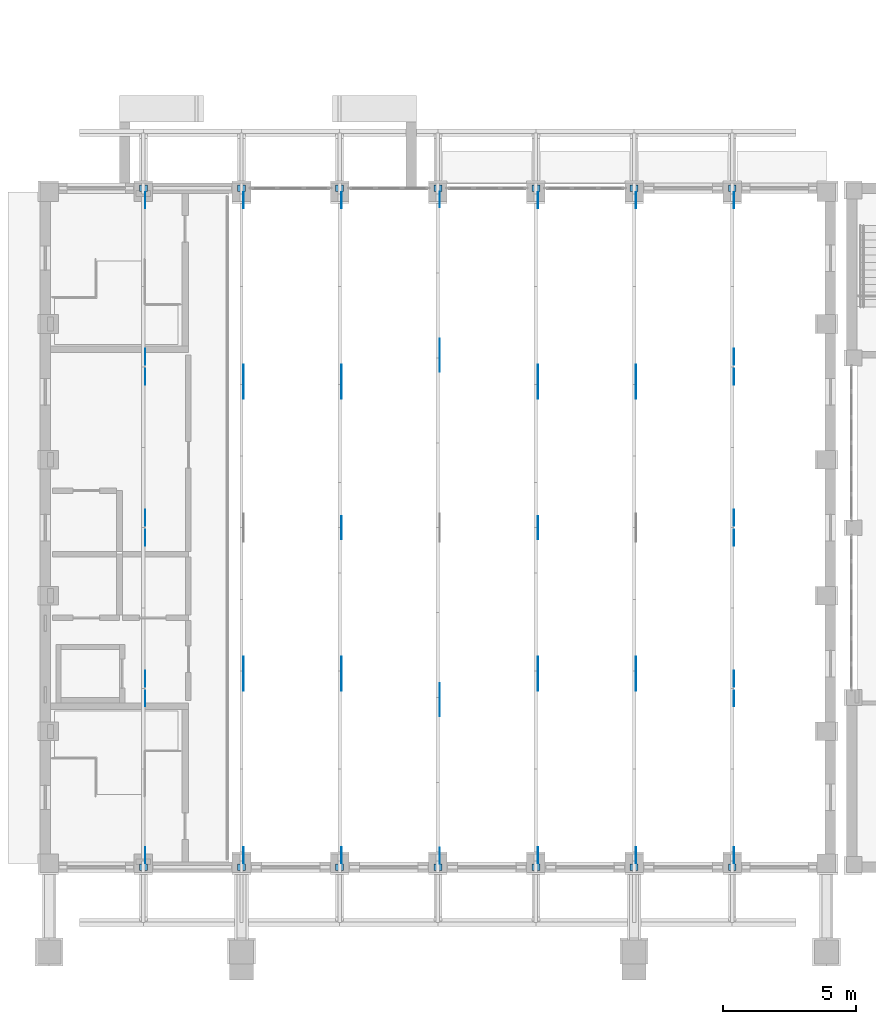
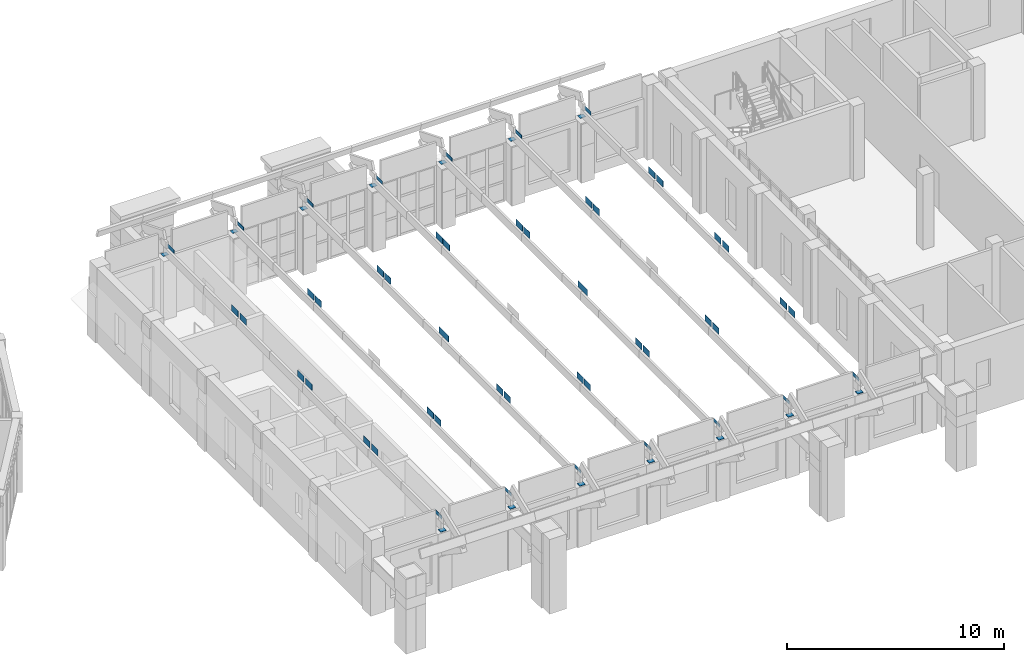
# One storey, part 76 of 99: 62 discrete accessories.
"""IFC4 building model written with IfcOpenShell, lengths in metres."""

from ifc_helpers import new_model, si_unit, direction, frame, origin, origin_2d, place, context, subcontext, project, spatial, polyline, rectangle, outline, extrude, element, save


model = new_model("IFC4")

# Units and contexts
model_context = context("Model", 3, precision=1e-05, world=origin(), true_north=direction((0.0, 1.0)))
body_context = subcontext(model_context, "Body", "Model", "MODEL_VIEW")
ifc_project = project(units=[si_unit("LENGTHUNIT", "METRE"), si_unit("AREAUNIT", "SQUARE_METRE"), si_unit("VOLUMEUNIT", "CUBIC_METRE"), si_unit("PLANEANGLEUNIT", "RADIAN"), si_unit("MASSUNIT", "GRAM", prefix="KILO")], contexts=[model_context])

# Site, building, storey
site_placement = place(None, origin())
site = spatial("IfcSite", under=ifc_project, at=site_placement, CompositionType="ELEMENT")
building_placement = place(site_placement, origin())
building = spatial("IfcBuilding", under=site, at=building_placement, Name="Wasatch Bagh Community Centre", CompositionType="ELEMENT")
storey_placement = place(building_placement, frame((0.0, 0.0, 4.199951171875)))
storey = spatial("IfcBuildingStorey", under=building, at=storey_placement, Name="L01", CompositionType="ELEMENT", Elevation=4.199951171875)

# Discrete accessories
discrete_accessory_1_placement = place(storey_placement, frame((69.9775390625, 6.347412109375, 3.77783203125), z_axis=(1.0, 0.0, 0.0), x_axis=(0.0, 1.0, 0.0)))
element("IfcDiscreteAccessory", 1, at=discrete_accessory_1_placement, inside=storey, Name="Gusset plate", PredefinedType="BRACKET", context=body_context, shape_type="SweptSolid", body=[
    extrude(outline(polyline([(0.0, 0.0), (0.60009765625, 0.0), (0.60009765625, 0.200927734375), (0.0, 0.200927734375), (0.0, 0.0)])), origin(), (0.0, 0.0, -1.0), 0.011962890625),
])
for number, where, z_axis, x_axis, name in (
    (2, (69.9775390625, 12.261962890625, 3.77783203125), (1.0, 0.0, 0.0), (0.0, 1.0, 0.0), "Gusset plate"),
    (3, (69.9775390625, 13.00439453125, 3.77783203125), (1.0, 0.0, 0.0), (0.0, 1.0, 0.0), "Gusset plate"),
    (4, (69.9775390625, 18.3291015625, 3.77783203125), (1.0, 0.0, 0.0), (0.0, 1.0, 0.0), "Gusset plate"),
    (5, (69.9775390625, 19.071044921875, 3.77783203125), (1.0, 0.0, 0.0), (0.0, 1.0, 0.0), "Gusset plate"),
    (6, (69.9775390625, 24.395751953125, 3.77783203125), (1.0, 0.0, 0.0), (0.0, 1.0, 0.0), "Gusset plate"),
    (7, (69.9775390625, 25.13818359375, 3.77783203125), (1.0, 0.0, 0.0), (0.0, 1.0, 0.0), "Gusset plate"),
):
    element("IfcDiscreteAccessory", number, at=place(storey_placement, frame(where, z_axis=z_axis, x_axis=x_axis)), inside=storey, Name=name, PredefinedType="BRACKET", context=body_context, shape_type="SweptSolid", body=[
        extrude(outline(polyline([(0.0, 0.0), (0.599853515625, 0.0), (0.599853515625, 0.349853515625), (0.0, 0.349853515625), (0.0, 0.0)])), origin(), (0.0, 0.0, -1.0), 0.011962890625),
    ])
discrete_accessory_2_placement = place(storey_placement, frame((69.9775390625, 31.052490234375, 3.77783203125), z_axis=(1.0, 0.0, 0.0), x_axis=(0.0, 1.0, 0.0)))
element("IfcDiscreteAccessory", 8, at=discrete_accessory_2_placement, inside=storey, Name="Gusset plate", PredefinedType="BRACKET", context=body_context, shape_type="SweptSolid", body=[
    extrude(outline(polyline([(0.0, 0.0), (0.60009765625, 0.0), (0.60009765625, 0.200927734375), (0.0, 0.200927734375), (0.0, 0.0)])), origin(), (0.0, 0.0, -1.0), 0.011962890625),
])
discrete_accessory_3_placement = place(storey_placement, frame((73.677490234375, 6.349609375, 3.77783203125), z_axis=(1.0, 0.0, 0.0), x_axis=(0.0, 1.0, 0.0)))
element("IfcDiscreteAccessory", 9, at=discrete_accessory_3_placement, inside=storey, Name="Gusset plate", PredefinedType="BRACKET", context=body_context, shape_type="SweptSolid", body=[
    extrude(outline(polyline([(0.0, 0.0), (0.60009765625, 0.0), (0.60009765625, 0.195068359375), (0.0, 0.195068359375), (0.0, 0.0)])), origin(), (0.0, 0.0, -1.0), 0.011962890625),
])
for number, where, z_axis, x_axis, name in (
    (10, (73.677490234375, 12.860595703125, 3.77783203125), (1.0, 0.0, 0.0), (0.0, 1.0, 0.0), "Gusset plate"),
    (11, (73.677490234375, 13.531982421875, 3.77783203125), (1.0, 0.0, 0.0), (0.0, 1.0, 0.0), "Gusset plate"),
    (12, (73.677490234375, 23.867919921875, 3.77783203125), (1.0, 0.0, 0.0), (0.0, 1.0, 0.0), "Gusset plate"),
    (13, (73.677490234375, 24.539306640625, 3.77783203125), (1.0, 0.0, 0.0), (0.0, 1.0, 0.0), "Gusset plate"),
):
    element("IfcDiscreteAccessory", number, at=place(storey_placement, frame(where, z_axis=z_axis, x_axis=x_axis)), inside=storey, Name=name, PredefinedType="BRACKET", context=body_context, shape_type="SweptSolid", body=[
        extrude(outline(polyline([(0.0, 0.0), (0.60009765625, 0.0), (0.60009765625, 0.349853515625), (0.0, 0.349853515625), (0.0, 0.0)])), origin(), (0.0, 0.0, -1.0), 0.011962890625),
    ])
discrete_accessory_4_placement = place(storey_placement, frame((73.677490234375, 31.05029296875, 3.77783203125), z_axis=(1.0, 0.0, 0.0), x_axis=(0.0, 1.0, 0.0)))
element("IfcDiscreteAccessory", 14, at=discrete_accessory_4_placement, inside=storey, Name="Gusset plate", PredefinedType="BRACKET", context=body_context, shape_type="SweptSolid", body=[
    extrude(outline(polyline([(0.0, 0.0), (0.60009765625, 0.0), (0.60009765625, 0.195068359375), (0.0, 0.195068359375), (0.0, 0.0)])), origin(), (0.0, 0.0, -1.0), 0.011962890625),
])
discrete_accessory_5_placement = place(storey_placement, frame((77.377685546875, 6.349609375, 3.77783203125), z_axis=(1.0, 0.0, 0.0), x_axis=(0.0, 1.0, 0.0)))
element("IfcDiscreteAccessory", 15, at=discrete_accessory_5_placement, inside=storey, Name="Gusset plate", PredefinedType="BRACKET", context=body_context, shape_type="SweptSolid", body=[
    extrude(outline(polyline([(0.0, 0.0), (0.60009765625, 0.0), (0.60009765625, 0.18896484375), (0.0, 0.18896484375), (0.0, 0.0)])), origin(), (0.0, 0.0, -1.0), 0.011962890625),
])
for number, where, z_axis, x_axis, name in (
    (16, (77.377685546875, 12.860595703125, 3.77783203125), (1.0, 0.0, 0.0), (0.0, 1.0, 0.0), "Gusset plate"),
    (17, (77.377685546875, 13.53369140625, 3.77783203125), (1.0, 0.0, 0.0), (0.0, 1.0, 0.0), "Gusset plate"),
):
    element("IfcDiscreteAccessory", number, at=place(storey_placement, frame(where, z_axis=z_axis, x_axis=x_axis)), inside=storey, Name=name, PredefinedType="BRACKET", context=body_context, shape_type="SweptSolid", body=[
        extrude(outline(polyline([(0.0, 0.0), (0.60009765625, 0.0), (0.60009765625, 0.349853515625), (0.0, 0.349853515625), (0.0, 0.0)])), origin(), (0.0, 0.0, -1.0), 0.011962890625),
    ])
discrete_accessory_6_placement = place(storey_placement, frame((77.377685546875, 18.558349609375, 3.77783203125), z_axis=(1.0, 0.0, 0.0), x_axis=(0.0, 1.0, 0.0)))
element("IfcDiscreteAccessory", 18, at=discrete_accessory_6_placement, inside=storey, Name="Gusset plate", PredefinedType="BRACKET", context=body_context, shape_type="SweptSolid", body=[
    extrude(outline(polyline([(0.0, 0.0), (0.88330078125, 0.0), (0.88330078125, 0.349853515625), (0.0, 0.349853515625), (0.0, 0.0)])), origin(), (0.0, 0.0, -1.0), 0.011962890625),
])
for number, where, z_axis, x_axis, name in (
    (19, (77.377685546875, 23.8662109375, 3.77783203125), (1.0, 0.0, 0.0), (0.0, 1.0, 0.0), "Gusset plate"),
    (20, (77.377685546875, 24.539306640625, 3.77783203125), (1.0, 0.0, 0.0), (0.0, 1.0, 0.0), "Gusset plate"),
):
    element("IfcDiscreteAccessory", number, at=place(storey_placement, frame(where, z_axis=z_axis, x_axis=x_axis)), inside=storey, Name=name, PredefinedType="BRACKET", context=body_context, shape_type="SweptSolid", body=[
        extrude(outline(polyline([(0.0, 0.0), (0.60009765625, 0.0), (0.60009765625, 0.349853515625), (0.0, 0.349853515625), (0.0, 0.0)])), origin(), (0.0, 0.0, -1.0), 0.011962890625),
    ])
discrete_accessory_7_placement = place(storey_placement, frame((77.377685546875, 31.05029296875, 3.77783203125), z_axis=(1.0, 0.0, 0.0), x_axis=(0.0, 1.0, 0.0)))
element("IfcDiscreteAccessory", 21, at=discrete_accessory_7_placement, inside=storey, Name="Gusset plate", PredefinedType="BRACKET", context=body_context, shape_type="SweptSolid", body=[
    extrude(outline(polyline([(0.0, 0.0), (0.60009765625, 0.0), (0.60009765625, 0.18896484375), (0.0, 0.18896484375), (0.0, 0.0)])), origin(), (0.0, 0.0, -1.0), 0.011962890625),
])
discrete_accessory_8_placement = place(storey_placement, frame((81.07763671875, 6.32666015625, 3.77783203125), z_axis=(1.0, 0.0, 0.0), x_axis=(0.0, 1.0, 0.0)))
element("IfcDiscreteAccessory", 22, at=discrete_accessory_8_placement, inside=storey, Name="Gusset plate", PredefinedType="BRACKET", context=body_context, shape_type="SweptSolid", body=[
    extrude(outline(polyline([(0.0, 0.0), (0.60009765625, 0.0), (0.60009765625, 0.1728515625), (0.0, 0.1728515625), (0.0, 0.0)])), origin(), (0.0, 0.0, -1.0), 0.011962890625),
])
discrete_accessory_9_placement = place(storey_placement, frame((81.07763671875, 11.883544921875, 3.77783203125), z_axis=(1.0, 0.0, 0.0), x_axis=(0.0, 1.0, 0.0)))
element("IfcDiscreteAccessory", 23, at=discrete_accessory_9_placement, inside=storey, Name="Gusset plate", PredefinedType="BRACKET", context=body_context, shape_type="SweptSolid", body=[
    extrude(outline(polyline([(0.0, 0.0), (0.60009765625, 0.0), (0.60009765625, 0.349853515625), (0.0, 0.349853515625), (0.0, 0.0)])), origin(), (0.0, 0.0, -1.0), 0.011962890625),
])
for number, where, z_axis, x_axis, name in (
    (24, (81.07763671875, 12.529296875, 3.77783203125), (1.0, 0.0, 0.0), (0.0, 1.0, 0.0), "Gusset plate"),
    (25, (81.07763671875, 24.870849609375, 3.77783203125), (1.0, 0.0, 0.0), (0.0, 1.0, 0.0), "Gusset plate"),
):
    element("IfcDiscreteAccessory", number, at=place(storey_placement, frame(where, z_axis=z_axis, x_axis=x_axis)), inside=storey, Name=name, PredefinedType="BRACKET", context=body_context, shape_type="SweptSolid", body=[
        extrude(outline(polyline([(0.0, 0.0), (0.599853515625, 0.0), (0.599853515625, 0.349853515625), (0.0, 0.349853515625), (0.0, 0.0)])), origin(), (0.0, 0.0, -1.0), 0.011962890625),
    ])
discrete_accessory_10_placement = place(storey_placement, frame((81.07763671875, 25.516357421875, 3.77783203125), z_axis=(1.0, 0.0, 0.0), x_axis=(0.0, 1.0, 0.0)))
element("IfcDiscreteAccessory", 26, at=discrete_accessory_10_placement, inside=storey, Name="Gusset plate", PredefinedType="BRACKET", context=body_context, shape_type="SweptSolid", body=[
    extrude(outline(polyline([(0.0, 0.0), (0.60009765625, 0.0), (0.60009765625, 0.349853515625), (0.0, 0.349853515625), (0.0, 0.0)])), origin(), (0.0, 0.0, -1.0), 0.011962890625),
])
discrete_accessory_11_placement = place(storey_placement, frame((81.07763671875, 31.0732421875, 3.77783203125), z_axis=(1.0, 0.0, 0.0), x_axis=(0.0, 1.0, 0.0)))
element("IfcDiscreteAccessory", 27, at=discrete_accessory_11_placement, inside=storey, Name="Gusset plate", PredefinedType="BRACKET", context=body_context, shape_type="SweptSolid", body=[
    extrude(outline(polyline([(0.0, 0.0), (0.60009765625, 0.0), (0.60009765625, 0.1728515625), (0.0, 0.1728515625), (0.0, 0.0)])), origin(), (0.0, 0.0, -1.0), 0.011962890625),
])
discrete_accessory_12_placement = place(storey_placement, frame((84.777587890625, 6.349609375, 3.77783203125), z_axis=(1.0, 0.0, 0.0), x_axis=(0.0, 1.0, 0.0)))
element("IfcDiscreteAccessory", 28, at=discrete_accessory_12_placement, inside=storey, Name="Gusset plate", PredefinedType="BRACKET", context=body_context, shape_type="SweptSolid", body=[
    extrude(outline(polyline([(0.0, 0.0), (0.60009765625, 0.0), (0.60009765625, 0.18896484375), (0.0, 0.18896484375), (0.0, 0.0)])), origin(), (0.0, 0.0, -1.0), 0.011962890625),
])
for number, where, z_axis, x_axis, name in (
    (29, (84.777587890625, 12.860595703125, 3.77783203125), (1.0, 0.0, 0.0), (0.0, 1.0, 0.0), "Gusset plate"),
    (30, (84.777587890625, 13.53369140625, 3.77783203125), (1.0, 0.0, 0.0), (0.0, 1.0, 0.0), "Gusset plate"),
):
    element("IfcDiscreteAccessory", number, at=place(storey_placement, frame(where, z_axis=z_axis, x_axis=x_axis)), inside=storey, Name=name, PredefinedType="BRACKET", context=body_context, shape_type="SweptSolid", body=[
        extrude(outline(polyline([(0.0, 0.0), (0.60009765625, 0.0), (0.60009765625, 0.349853515625), (0.0, 0.349853515625), (0.0, 0.0)])), origin(), (0.0, 0.0, -1.0), 0.011962890625),
    ])
discrete_accessory_13_placement = place(storey_placement, frame((84.777587890625, 18.558349609375, 3.77783203125), z_axis=(1.0, 0.0, 0.0), x_axis=(0.0, 1.0, 0.0)))
element("IfcDiscreteAccessory", 31, at=discrete_accessory_13_placement, inside=storey, Name="Gusset plate", PredefinedType="BRACKET", context=body_context, shape_type="SweptSolid", body=[
    extrude(outline(polyline([(0.0, 0.0), (0.88330078125, 0.0), (0.88330078125, 0.349853515625), (0.0, 0.349853515625), (0.0, 0.0)])), origin(), (0.0, 0.0, -1.0), 0.011962890625),
])
for number, where, z_axis, x_axis, name in (
    (32, (84.777587890625, 23.8662109375, 3.77783203125), (1.0, 0.0, 0.0), (0.0, 1.0, 0.0), "Gusset plate"),
    (33, (84.777587890625, 24.539306640625, 3.77783203125), (1.0, 0.0, 0.0), (0.0, 1.0, 0.0), "Gusset plate"),
):
    element("IfcDiscreteAccessory", number, at=place(storey_placement, frame(where, z_axis=z_axis, x_axis=x_axis)), inside=storey, Name=name, PredefinedType="BRACKET", context=body_context, shape_type="SweptSolid", body=[
        extrude(outline(polyline([(0.0, 0.0), (0.60009765625, 0.0), (0.60009765625, 0.349853515625), (0.0, 0.349853515625), (0.0, 0.0)])), origin(), (0.0, 0.0, -1.0), 0.011962890625),
    ])
discrete_accessory_14_placement = place(storey_placement, frame((84.777587890625, 31.05029296875, 3.77783203125), z_axis=(1.0, 0.0, 0.0), x_axis=(0.0, 1.0, 0.0)))
element("IfcDiscreteAccessory", 34, at=discrete_accessory_14_placement, inside=storey, Name="Gusset plate", PredefinedType="BRACKET", context=body_context, shape_type="SweptSolid", body=[
    extrude(outline(polyline([(0.0, 0.0), (0.60009765625, 0.0), (0.60009765625, 0.18896484375), (0.0, 0.18896484375), (0.0, 0.0)])), origin(), (0.0, 0.0, -1.0), 0.011962890625),
])
discrete_accessory_15_placement = place(storey_placement, frame((88.4775390625, 6.349609375, 3.77783203125), z_axis=(1.0, 0.0, 0.0), x_axis=(0.0, 1.0, 0.0)))
element("IfcDiscreteAccessory", 35, at=discrete_accessory_15_placement, inside=storey, Name="Gusset plate", PredefinedType="BRACKET", context=body_context, shape_type="SweptSolid", body=[
    extrude(outline(polyline([(0.0, 0.0), (0.60009765625, 0.0), (0.60009765625, 0.195068359375), (0.0, 0.195068359375), (0.0, 0.0)])), origin(), (0.0, 0.0, -1.0), 0.011962890625),
])
for number, where, z_axis, x_axis, name in (
    (36, (88.4775390625, 12.860595703125, 3.77783203125), (1.0, 0.0, 0.0), (0.0, 1.0, 0.0), "Gusset plate"),
    (37, (88.4775390625, 13.531982421875, 3.77783203125), (1.0, 0.0, 0.0), (0.0, 1.0, 0.0), "Gusset plate"),
    (38, (88.4775390625, 23.867919921875, 3.77783203125), (1.0, 0.0, 0.0), (0.0, 1.0, 0.0), "Gusset plate"),
    (39, (88.4775390625, 24.539306640625, 3.77783203125), (1.0, 0.0, 0.0), (0.0, 1.0, 0.0), "Gusset plate"),
):
    element("IfcDiscreteAccessory", number, at=place(storey_placement, frame(where, z_axis=z_axis, x_axis=x_axis)), inside=storey, Name=name, PredefinedType="BRACKET", context=body_context, shape_type="SweptSolid", body=[
        extrude(outline(polyline([(0.0, 0.0), (0.60009765625, 0.0), (0.60009765625, 0.349853515625), (0.0, 0.349853515625), (0.0, 0.0)])), origin(), (0.0, 0.0, -1.0), 0.011962890625),
    ])
discrete_accessory_16_placement = place(storey_placement, frame((88.4775390625, 31.05029296875, 3.77783203125), z_axis=(1.0, 0.0, 0.0), x_axis=(0.0, 1.0, 0.0)))
element("IfcDiscreteAccessory", 40, at=discrete_accessory_16_placement, inside=storey, Name="Gusset plate", PredefinedType="BRACKET", context=body_context, shape_type="SweptSolid", body=[
    extrude(outline(polyline([(0.0, 0.0), (0.60009765625, 0.0), (0.60009765625, 0.195068359375), (0.0, 0.195068359375), (0.0, 0.0)])), origin(), (0.0, 0.0, -1.0), 0.011962890625),
])
discrete_accessory_17_placement = place(storey_placement, frame((92.177490234375, 6.347412109375, 3.77783203125), z_axis=(1.0, 0.0, 0.0), x_axis=(0.0, 1.0, 0.0)))
element("IfcDiscreteAccessory", 41, at=discrete_accessory_17_placement, inside=storey, Name="Gusset plate", PredefinedType="BRACKET", context=body_context, shape_type="SweptSolid", body=[
    extrude(outline(polyline([(0.0, 0.0), (0.60009765625, 0.0), (0.60009765625, 0.200927734375), (0.0, 0.200927734375), (0.0, 0.0)])), origin(), (0.0, 0.0, -1.0), 0.011962890625),
])
for number, where, z_axis, x_axis, name in (
    (42, (92.177490234375, 12.261962890625, 3.77783203125), (1.0, 0.0, 0.0), (0.0, 1.0, 0.0), "Gusset plate"),
    (43, (92.177490234375, 13.00439453125, 3.77783203125), (1.0, 0.0, 0.0), (0.0, 1.0, 0.0), "Gusset plate"),
    (44, (92.177490234375, 18.3291015625, 3.77783203125), (1.0, 0.0, 0.0), (0.0, 1.0, 0.0), "Gusset plate"),
    (45, (92.177490234375, 19.071044921875, 3.77783203125), (1.0, 0.0, 0.0), (0.0, 1.0, 0.0), "Gusset plate"),
    (46, (92.177490234375, 24.395751953125, 3.77783203125), (1.0, 0.0, 0.0), (0.0, 1.0, 0.0), "Gusset plate"),
    (47, (92.177490234375, 25.13818359375, 3.77783203125), (1.0, 0.0, 0.0), (0.0, 1.0, 0.0), "Gusset plate"),
):
    element("IfcDiscreteAccessory", number, at=place(storey_placement, frame(where, z_axis=z_axis, x_axis=x_axis)), inside=storey, Name=name, PredefinedType="BRACKET", context=body_context, shape_type="SweptSolid", body=[
        extrude(outline(polyline([(0.0, 0.0), (0.599853515625, 0.0), (0.599853515625, 0.349853515625), (0.0, 0.349853515625), (0.0, 0.0)])), origin(), (0.0, 0.0, -1.0), 0.011962890625),
    ])
discrete_accessory_18_placement = place(storey_placement, frame((92.177490234375, 31.052490234375, 3.77783203125), z_axis=(1.0, 0.0, 0.0), x_axis=(0.0, 1.0, 0.0)))
element("IfcDiscreteAccessory", 48, at=discrete_accessory_18_placement, inside=storey, Name="Gusset plate", PredefinedType="BRACKET", context=body_context, shape_type="SweptSolid", body=[
    extrude(outline(polyline([(0.0, 0.0), (0.60009765625, 0.0), (0.60009765625, 0.200927734375), (0.0, 0.200927734375), (0.0, 0.0)])), origin(), (0.0, 0.0, -1.0), 0.011962890625),
])
for number, where, z_axis, x_axis, name in (
    (49, (69.89990234375, 6.199951171875, 3.300048828125), (0.0, 0.0, 1.0), (1.0, 0.0, 0.0), "Bearing plate"),
    (50, (69.89990234375, 31.800048828125, 3.300048828125), (0.0, 0.0, 1.0), (1.0, 0.0, 0.0), "Bearing plate"),
    (51, (73.60009765625, 6.199951171875, 3.300048828125), (0.0, 0.0, 1.0), (1.0, 0.0, 0.0), "Bearing plate"),
    (52, (73.60009765625, 31.800048828125, 3.300048828125), (0.0, 0.0, 1.0), (1.0, 0.0, 0.0), "Bearing plate"),
    (53, (77.300048828125, 6.199951171875, 3.300048828125), (0.0, 0.0, 1.0), (1.0, 0.0, 0.0), "Bearing plate"),
    (54, (77.300048828125, 31.800048828125, 3.300048828125), (0.0, 0.0, 1.0), (1.0, 0.0, 0.0), "Bearing plate"),
    (55, (81.0, 6.199951171875, 3.300048828125), (0.0, 0.0, 1.0), (1.0, 0.0, 0.0), "Bearing plate"),
    (56, (81.0, 31.800048828125, 3.300048828125), (0.0, 0.0, 1.0), (1.0, 0.0, 0.0), "Bearing plate"),
    (57, (84.699951171875, 6.199951171875, 3.300048828125), (0.0, 0.0, 1.0), (1.0, 0.0, 0.0), "Bearing plate"),
    (58, (84.699951171875, 31.800048828125, 3.300048828125), (0.0, 0.0, 1.0), (1.0, 0.0, 0.0), "Bearing plate"),
    (59, (88.39990234375, 6.199951171875, 3.300048828125), (0.0, 0.0, 1.0), (1.0, 0.0, 0.0), "Bearing plate"),
    (60, (88.39990234375, 31.800048828125, 3.300048828125), (0.0, 0.0, 1.0), (1.0, 0.0, 0.0), "Bearing plate"),
    (61, (92.10009765625, 6.199951171875, 3.300048828125), (0.0, 0.0, 1.0), (1.0, 0.0, 0.0), "Bearing plate"),
    (62, (92.10009765625, 31.800048828125, 3.300048828125), (0.0, 0.0, 1.0), (1.0, 0.0, 0.0), "Bearing plate"),
):
    element("IfcDiscreteAccessory", number, at=place(storey_placement, frame(where, z_axis=z_axis, x_axis=x_axis)), inside=storey, Name=name, PredefinedType="BRACKET", context=body_context, shape_type="SweptSolid", body=[
        extrude(rectangle(XDim=0.300048828125, YDim=0.25, at=origin_2d()), origin(), (0.0, 0.0, 1.0), 0.02001953125),
    ])

save(model, "model.ifc")
